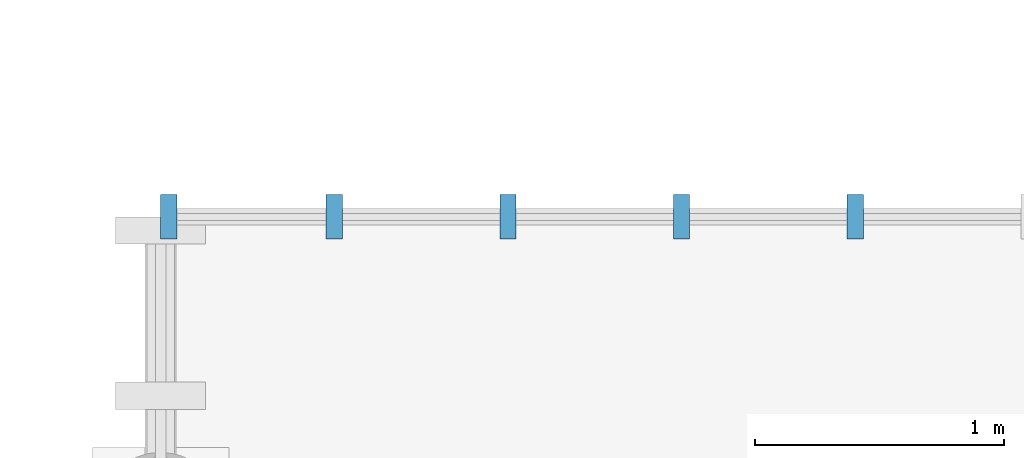
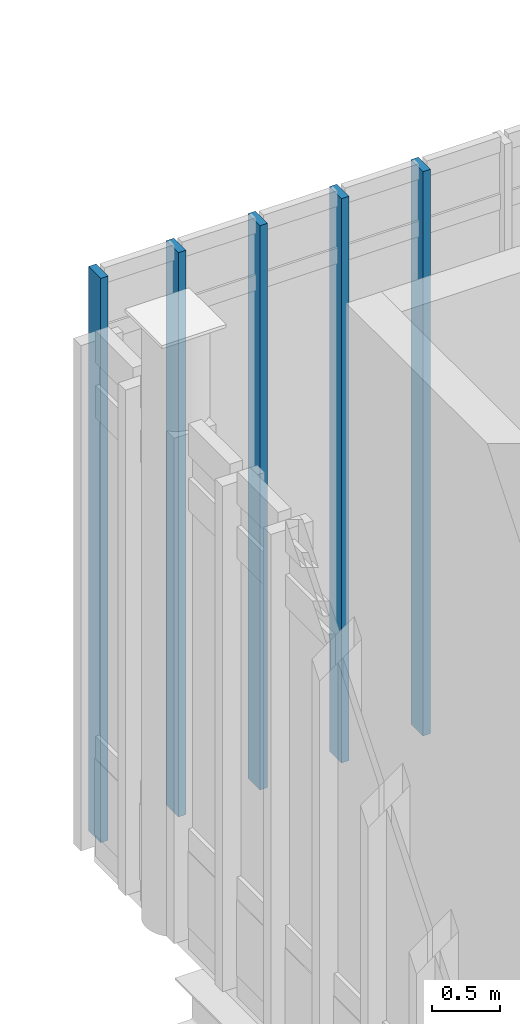
# One storey, part 29 of 135: 5 members, 1 element without a shape of its own.
"""IFC4 building model written with IfcOpenShell, lengths in metres."""

from ifc_helpers import new_model, si_unit, direction, frame, origin, origin_2d, place, context, subcontext, project, spatial, rectangle, extrude, material, material_profile, profile_set, type_object, element, aggregate, save


model = new_model("IFC4")

# Units and contexts
model_context = context("Model", 3, precision=1e-05, world=origin(), true_north=direction((0.0, 1.0)))
body_context = subcontext(model_context, "Body", "Model", "MODEL_VIEW")
ifc_project = project(units=[si_unit("LENGTHUNIT", "METRE"), si_unit("AREAUNIT", "SQUARE_METRE"), si_unit("VOLUMEUNIT", "CUBIC_METRE"), si_unit("PLANEANGLEUNIT", "RADIAN"), si_unit("MASSUNIT", "GRAM", prefix="KILO")], contexts=[model_context])

# Site, building, storey
site_placement = place(None, origin())
site = spatial("IfcSite", under=ifc_project, at=site_placement, CompositionType="ELEMENT")
building_placement = place(site_placement, origin())
building = spatial("IfcBuilding", under=site, at=building_placement, Name="Larkvane Passage Sports Hall", CompositionType="ELEMENT")
storey_placement = place(building_placement, frame((0.0, 0.0, 16.800048828125)))
storey = spatial("IfcBuildingStorey", under=building, at=storey_placement, Name="L03", CompositionType="ELEMENT", Elevation=16.800048828125)

# Curtain wall, members
ifc_material_1 = material(Name="Thermally broken aluminium and low-E glazing", Category="aluminium")
curtain_wall_type = type_object("IfcCurtainWallType", Name="CW-UNIT-COURT", PredefinedType="USERDEFINED", material=ifc_material_1)
curtain_wall_placement = place(storey_placement, origin())
curtain_wall = element("IfcCurtainWall", 1, at=curtain_wall_placement, inside=storey, type_object=curtain_wall_type, Name="Curtain wall CW5-L03-104", ObjectType="UNITISED CURTAIN WALL", PredefinedType="USERDEFINED")
ifc_material_2 = material(Name="Anodised aluminium 6063-T6", Category="aluminium")
ifc_material_profile = material_profile(ifc_material_2, rectangle(XDim=0.06494140625, YDim=0.179931640625, at=origin_2d()), Name="ALU-MUL-65x180")
ifc_profile_set = profile_set([ifc_material_profile], Name="Anodised aluminium 6063-T6")
member_type = type_object("IfcMemberType", Name="CW-MUL-65x180", PredefinedType="MULLION", material=ifc_profile_set)
member_1_placement = place(storey_placement, frame((124.632568359375, 85.199951171875, 0.0), z_axis=(0.0, 0.0, 1.0), x_axis=(1.0, 0.0, 0.0)))
member_1 = element("IfcMember", 2, at=member_1_placement, type_object=member_type, Name="CW-01 mullion 1", PredefinedType="MULLION", context=body_context, shape_type="SweptSolid", body=[
    extrude(rectangle(XDim=0.06494140625, YDim=0.179931640625, at=origin_2d()), origin(), (0.0, 0.0, 1.0), 5.099853515625),
])
member_2_placement = place(storey_placement, frame((125.297119140625, 85.199951171875, 0.0), z_axis=(0.0, 0.0, 1.0), x_axis=(1.0, 0.0, 0.0)))
member_2 = element("IfcMember", 3, at=member_2_placement, type_object=member_type, Name="CW-01 mullion 2", PredefinedType="MULLION", context=body_context, shape_type="SweptSolid", body=[
    extrude(rectangle(XDim=0.06494140625, YDim=0.179931640625, at=origin_2d()), origin(), (0.0, 0.0, 1.0), 5.099853515625),
])
member_3_placement = place(storey_placement, frame((125.994384765625, 85.199951171875, 0.0), z_axis=(0.0, 0.0, 1.0), x_axis=(1.0, 0.0, 0.0)))
member_3 = element("IfcMember", 4, at=member_3_placement, type_object=member_type, Name="CW-01 mullion 3", PredefinedType="MULLION", context=body_context, shape_type="SweptSolid", body=[
    extrude(rectangle(XDim=0.06494140625, YDim=0.179931640625, at=origin_2d()), origin(), (0.0, 0.0, 1.0), 5.099853515625),
])
member_4_placement = place(storey_placement, frame((126.691650390625, 85.199951171875, 0.0), z_axis=(0.0, 0.0, 1.0), x_axis=(1.0, 0.0, 0.0)))
member_4 = element("IfcMember", 5, at=member_4_placement, type_object=member_type, Name="CW-01 mullion 4", PredefinedType="MULLION", context=body_context, shape_type="SweptSolid", body=[
    extrude(rectangle(XDim=0.06494140625, YDim=0.179931640625, at=origin_2d()), origin(), (0.0, 0.0, 1.0), 5.099853515625),
])
member_5_placement = place(storey_placement, frame((127.388916015625, 85.199951171875, 0.0), z_axis=(0.0, 0.0, 1.0), x_axis=(1.0, 0.0, 0.0)))
member_5 = element("IfcMember", 6, at=member_5_placement, type_object=member_type, Name="CW-01 mullion 5", PredefinedType="MULLION", context=body_context, shape_type="SweptSolid", body=[
    extrude(rectangle(XDim=0.06494140625, YDim=0.179931640625, at=origin_2d()), origin(), (0.0, 0.0, 1.0), 5.099853515625),
])
aggregate(curtain_wall, [member_1, member_2, member_3, member_4, member_5])

save(model, "model.ifc")
